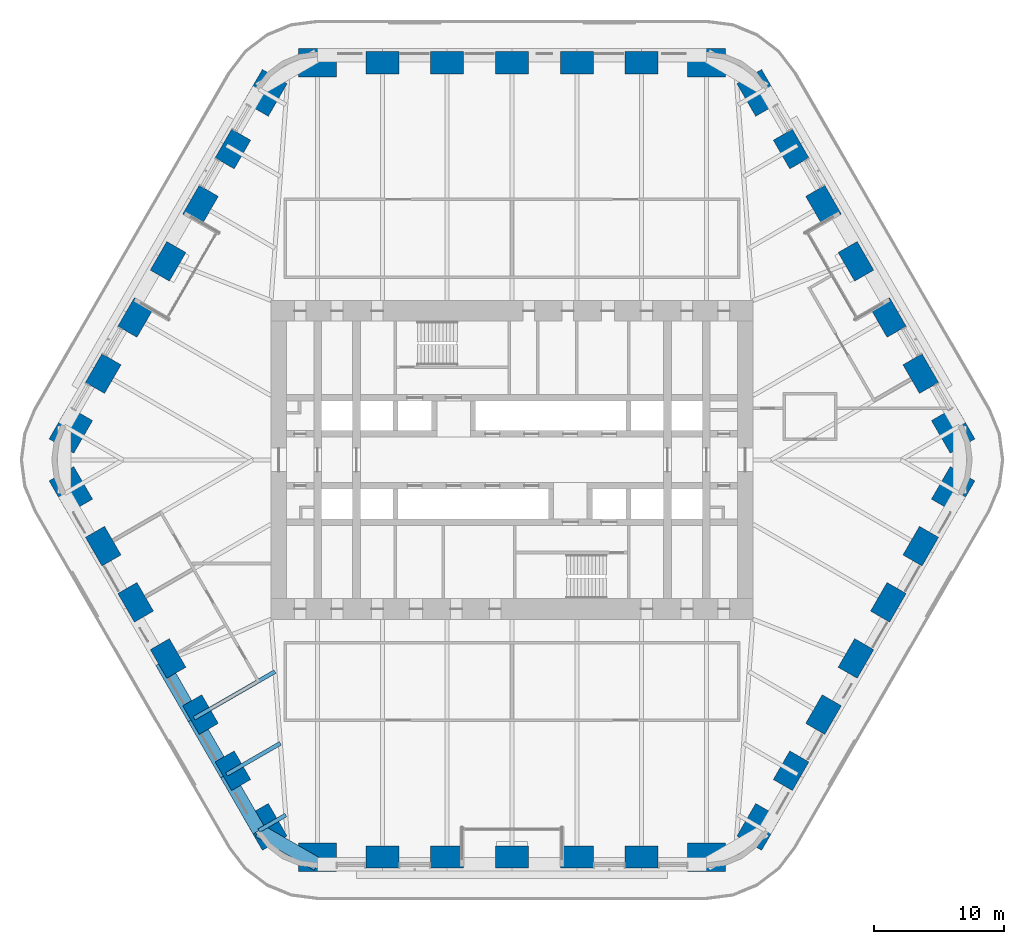
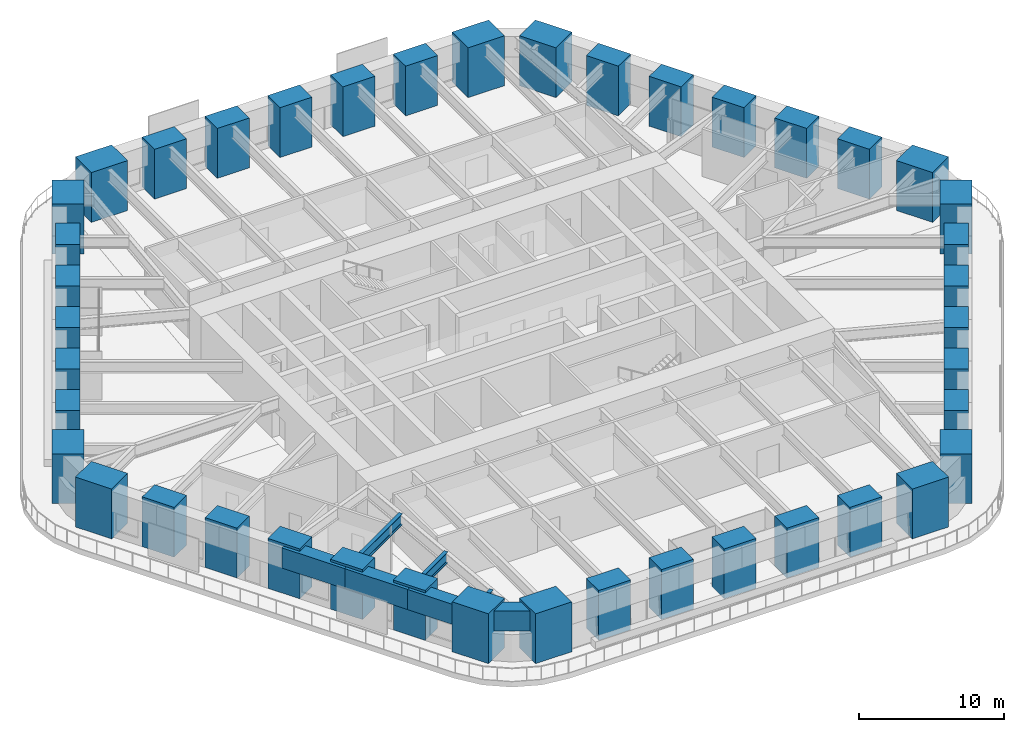
# One storey, part 1 of 24: 42 columns, 7 beams.
"""IFC4 building model written with IfcOpenShell, lengths in metres."""

from ifc_helpers import new_model, si_unit, direction, frame, origin, origin_2d, place, context, subcontext, project, spatial, rectangle, i_section, extrude, material, material_profile, profile_set, type_object, element, save


model = new_model("IFC4")

# Units and contexts
model_context = context("Model", 3, precision=1e-05, world=origin(), true_north=direction((0.0, 1.0)))
body_context = subcontext(model_context, "Body", "Model", "MODEL_VIEW")
ifc_project = project(units=[si_unit("LENGTHUNIT", "METRE"), si_unit("AREAUNIT", "SQUARE_METRE"), si_unit("VOLUMEUNIT", "CUBIC_METRE"), si_unit("PLANEANGLEUNIT", "RADIAN"), si_unit("MASSUNIT", "GRAM", prefix="KILO")], contexts=[model_context])

# Site, building, storey
site_placement = place(None, origin())
site = spatial("IfcSite", under=ifc_project, at=site_placement, CompositionType="ELEMENT")
building_placement = place(site_placement, origin())
building = spatial("IfcBuilding", under=site, at=building_placement, Name="Tarfa Lantern Tower", CompositionType="ELEMENT")
storey_placement = place(building_placement, frame((0.0, 0.0, 119.5)))
storey = spatial("IfcBuildingStorey", under=building, at=storey_placement, Name="L26", CompositionType="ELEMENT", Elevation=119.5)

# Columns
ifc_material_1 = material(Name="Concrete C80/95", Category="concrete")
ifc_material_profile_1 = material_profile(ifc_material_1, rectangle(XDim=2.550048828125, YDim=1.699951171875, at=origin_2d()), Name="RC 2550x1700")
ifc_profile_set_1 = profile_set([ifc_material_profile_1], Name="Concrete C80/95")
column_type_1 = type_object("IfcColumnType", Name="TU1 RC 2550x1700", PredefinedType="COLUMN", material=ifc_profile_set_1)
for number, where, z_axis, x_axis, name in (
    (1, (31.54736328125, 6.658447265625, 0.0), (0.0, 0.0, 1.0), (-0.5, 0.866025403784, 0.0), "Tube column NE1"),
    (2, (29.04541015625, 10.99169921875, 0.0), (0.0, 0.0, 1.0), (-0.5, 0.866025403784, 0.0), "Tube column NE2"),
    (3, (26.543701171875, 15.324951171875, 0.0), (0.0, 0.0, 1.0), (-0.5, 0.866025403784, 0.0), "Tube column NE3"),
    (4, (24.041748046875, 19.658447265625, 0.0), (0.0, 0.0, 1.0), (-0.5, 0.866025403784, 0.0), "Tube column NE4"),
    (5, (21.5400390625, 23.99169921875, 0.0), (0.0, 0.0, 1.0), (-0.5, 0.866025403784, 0.0), "Tube column NE5"),
    (6, (10.00732421875, 30.64990234375, 0.0), (0.0, 0.0, 1.0), (-1.0, 0.0, 0.0), "Tube column N1"),
    (7, (5.003662109375, 30.64990234375, 0.0), (0.0, 0.0, 1.0), (-1.0, 0.0, 0.0), "Tube column N2"),
    (8, (0.0, 30.64990234375, 0.0), (0.0, 0.0, 1.0), (-1.0, 0.0, 0.0), "Tube column N3"),
    (9, (-5.003662109375, 30.64990234375, 0.0), (0.0, 0.0, 1.0), (-1.0, 0.0, 0.0), "Tube column N4"),
    (10, (-10.00732421875, 30.64990234375, 0.0), (0.0, 0.0, 1.0), (-1.0, 0.0, 0.0), "Tube column N5"),
    (11, (-21.5400390625, 23.99169921875, 0.0), (0.0, 0.0, 1.0), (-0.5, -0.866025403784, 0.0), "Tube column NW1"),
    (12, (-24.041748046875, 19.658447265625, 0.0), (0.0, 0.0, 1.0), (-0.5, -0.866025403784, 0.0), "Tube column NW2"),
    (13, (-26.543701171875, 15.324951171875, 0.0), (0.0, 0.0, 1.0), (-0.5, -0.866025403784, 0.0), "Tube column NW3"),
    (14, (-29.04541015625, 10.99169921875, 0.0), (0.0, 0.0, 1.0), (-0.5, -0.866025403784, 0.0), "Tube column NW4"),
    (15, (-31.54736328125, 6.658447265625, 0.0), (0.0, 0.0, 1.0), (-0.5, -0.866025403784, 0.0), "Tube column NW5"),
    (16, (-31.54736328125, -6.658447265625, 0.0), (0.0, 0.0, 1.0), (0.5, -0.866025403784, 0.0), "Tube column SW1"),
    (17, (-29.04541015625, -10.99169921875, 0.0), (0.0, 0.0, 1.0), (0.5, -0.866025403784, 0.0), "Tube column SW2"),
    (18, (-26.543701171875, -15.324951171875, 0.0), (0.0, 0.0, 1.0), (0.5, -0.866025403784, 0.0), "Tube column SW3"),
    (19, (-24.041748046875, -19.658447265625, 0.0), (0.0, 0.0, 1.0), (0.5, -0.866025403784, 0.0), "Tube column SW4"),
    (20, (-21.5400390625, -23.99169921875, 0.0), (0.0, 0.0, 1.0), (0.5, -0.866025403784, 0.0), "Tube column SW5"),
    (21, (-10.00732421875, -30.64990234375, 0.0), (0.0, 0.0, 1.0), (1.0, 0.0, 0.0), "Tube column S1"),
    (22, (-5.003662109375, -30.64990234375, 0.0), (0.0, 0.0, 1.0), (1.0, 0.0, 0.0), "Tube column S2"),
    (23, (0.0, -30.64990234375, 0.0), (0.0, 0.0, 1.0), (1.0, 0.0, 0.0), "Tube column S3"),
    (24, (5.003662109375, -30.64990234375, 0.0), (0.0, 0.0, 1.0), (1.0, 0.0, 0.0), "Tube column S4"),
    (25, (10.00732421875, -30.64990234375, 0.0), (0.0, 0.0, 1.0), (1.0, 0.0, 0.0), "Tube column S5"),
    (26, (21.5400390625, -23.99169921875, 0.0), (0.0, 0.0, 1.0), (0.5, 0.866025403784, 0.0), "Tube column SE1"),
    (27, (24.041748046875, -19.658447265625, 0.0), (0.0, 0.0, 1.0), (0.5, 0.866025403784, 0.0), "Tube column SE2"),
    (28, (26.543701171875, -15.324951171875, 0.0), (0.0, 0.0, 1.0), (0.5, 0.866025403784, 0.0), "Tube column SE3"),
    (29, (29.04541015625, -10.99169921875, 0.0), (0.0, 0.0, 1.0), (0.5, 0.866025403784, 0.0), "Tube column SE4"),
    (30, (31.54736328125, -6.658447265625, 0.0), (0.0, 0.0, 1.0), (0.5, 0.866025403784, 0.0), "Tube column SE5"),
):
    element("IfcColumn", number, at=place(storey_placement, frame(where, z_axis=z_axis, x_axis=x_axis)), inside=storey, type_object=column_type_1, Name=name, PredefinedType="COLUMN", context=body_context, shape_type="SweptSolid", body=[
        extrude(rectangle(XDim=2.550048828125, YDim=1.699951171875, at=origin_2d()), origin(), (0.0, 0.0, 1.0), 4.199951171875),
    ])
ifc_material_profile_2 = material_profile(ifc_material_1, rectangle(XDim=2.89990234375, YDim=2.199951171875, at=origin_2d()), Name="RC 2900x2200")
ifc_profile_set_2 = profile_set([ifc_material_profile_2], Name="Concrete C80/95")
column_type_2 = type_object("IfcColumnType", Name="TU1C RC 2900x2200", PredefinedType="COLUMN", material=ifc_profile_set_2)
for number, where, z_axis, x_axis, name in (
    (31, (34.04931640625, 2.324951171875, 0.0), (0.0, 0.0, 1.0), (-0.5, 0.866025403784, 0.0), "Tube column NE0"),
    (32, (19.0380859375, 28.324951171875, 0.0), (0.0, 0.0, 1.0), (-0.5, 0.866025403784, 0.0), "Tube column NE6"),
    (33, (15.010986328125, 30.64990234375, 0.0), (0.0, 0.0, 1.0), (-1.0, 0.0, 0.0), "Tube column N0"),
    (34, (-15.010986328125, 30.64990234375, 0.0), (0.0, 0.0, 1.0), (-1.0, 0.0, 0.0), "Tube column N6"),
    (35, (-19.0380859375, 28.324951171875, 0.0), (0.0, 0.0, 1.0), (-0.5, -0.866025403784, 0.0), "Tube column NW0"),
    (36, (-34.04931640625, 2.324951171875, 0.0), (0.0, 0.0, 1.0), (-0.5, -0.866025403784, 0.0), "Tube column NW6"),
    (37, (-34.04931640625, -2.324951171875, 0.0), (0.0, 0.0, 1.0), (0.5, -0.866025403784, 0.0), "Tube column SW0"),
    (38, (-19.0380859375, -28.324951171875, 0.0), (0.0, 0.0, 1.0), (0.5, -0.866025403784, 0.0), "Tube column SW6"),
    (39, (-15.010986328125, -30.64990234375, 0.0), (0.0, 0.0, 1.0), (1.0, 0.0, 0.0), "Tube column S0"),
    (40, (15.010986328125, -30.64990234375, 0.0), (0.0, 0.0, 1.0), (1.0, 0.0, 0.0), "Tube column S6"),
    (41, (19.0380859375, -28.324951171875, 0.0), (0.0, 0.0, 1.0), (0.5, 0.866025403784, 0.0), "Tube column SE0"),
    (42, (34.04931640625, -2.324951171875, 0.0), (0.0, 0.0, 1.0), (0.5, 0.866025403784, 0.0), "Tube column SE6"),
):
    element("IfcColumn", number, at=place(storey_placement, frame(where, z_axis=z_axis, x_axis=x_axis)), inside=storey, type_object=column_type_2, Name=name, PredefinedType="COLUMN", context=body_context, shape_type="SweptSolid", body=[
        extrude(rectangle(XDim=2.89990234375, YDim=2.199951171875, at=origin_2d()), origin(), (0.0, 0.0, 1.0), 4.199951171875),
    ])

# Beams
ifc_material_profile_3 = material_profile(ifc_material_1, rectangle(XDim=1.050048828125, YDim=1.699951171875, at=origin_2d()), Name="RC 1050x1700")
ifc_profile_set_3 = profile_set([ifc_material_profile_3], Name="Concrete C80/95")
beam_type_1 = type_object("IfcBeamType", Name="RB2 RC 1050x1700", PredefinedType="BEAM", material=ifc_profile_set_3)
for number, where, z_axis, x_axis, name in (
    (43, (-27.037353515625, -15.610107421875, 3.14990234375), (0.500022324899, -0.866012514114, 0.0), (0.866012514114, 0.500022324899, 0.0), "Edge beam SW3"),
    (44, (-24.535400390625, -19.943359375, 3.14990234375), (0.49998573051, -0.866033642122, 0.0), (0.866033642122, 0.49998573051, 0.0), "Edge beam SW4"),
):
    element("IfcBeam", number, at=place(storey_placement, frame(where, z_axis=z_axis, x_axis=x_axis)), inside=storey, type_object=beam_type_1, Name=name, PredefinedType="BEAM", context=body_context, shape_type="SweptSolid", body=[
        extrude(rectangle(XDim=1.050048828125, YDim=1.699951171875, at=origin_2d()), origin(), (0.0, 0.0, 1.0), 5.003662109375),
    ])
beam_1_placement = place(storey_placement, frame((-22.03369140625, -24.276611328125, 3.14990234375), z_axis=(0.500001197378, -0.866024712477, 0.0), x_axis=(0.866024712477, 0.500001197378, 0.0)))
element("IfcBeam", 45, at=beam_1_placement, inside=storey, type_object=beam_type_1, Name="Edge beam SW5", PredefinedType="BEAM", context=body_context, shape_type="SweptSolid", body=[
    extrude(rectangle(XDim=1.050048828125, YDim=1.699951171875, at=origin_2d()), origin(), (0.0, 0.0, 1.0), 5.00390625),
])
beam_2_placement = place(storey_placement, frame((-19.53173828125, -28.610107421875, 3.14990234375), z_axis=(0.86604150238, -0.499972115377, 0.0), x_axis=(0.499972115377, 0.86604150238, 0.0)))
element("IfcBeam", 46, at=beam_2_placement, inside=storey, type_object=beam_type_1, Name="Edge beam SW6", PredefinedType="BEAM", context=body_context, shape_type="SweptSolid", body=[
    extrude(rectangle(XDim=1.050048828125, YDim=1.699951171875, at=origin_2d()), origin(), (0.0, 0.0, 1.0), 5.219970703125),
])
ifc_material_2 = material(Name="Steel S460M", Category="steel")
ifc_material_profile_4 = material_profile(ifc_material_2, i_section(OverallWidth=0.305419921875, OverallDepth=0.91845703125, WebThickness=0.017333984375, FlangeThickness=0.02783203125, FilletRadius=0.01904296875, at=origin_2d()), Name="UB914x305x253")
ifc_profile_set_4 = profile_set([ifc_material_profile_4], Name="Steel S460M")
beam_type_2 = type_object("IfcBeamType", Name="UB914x305x253", PredefinedType="BEAM", material=ifc_profile_set_4)
beam_3_placement = place(storey_placement, frame((-24.535400390625, -19.943359375, 3.540771484375), z_axis=(0.86602647304, 0.499998147991, 0.0), x_axis=(-0.499998147991, 0.86602647304, 0.0)))
element("IfcBeam", 47, at=beam_3_placement, inside=storey, type_object=beam_type_2, Name="Floor beam SW4", PredefinedType="BEAM", context=body_context, shape_type="SweptSolid", body=[
    extrude(i_section(OverallWidth=0.305419921875, OverallDepth=0.91845703125, WebThickness=0.017333984375, FlangeThickness=0.02783203125, FilletRadius=0.01904296875, at=origin_2d()), origin(), (0.0, 0.0, 1.0), 7.20556640625),
])
beam_4_placement = place(storey_placement, frame((-22.03369140625, -24.276611328125, 3.540771484375), z_axis=(0.866030550462, 0.499991085587, 0.0), x_axis=(-0.499991085587, 0.866030550462, 0.0)))
element("IfcBeam", 48, at=beam_4_placement, inside=storey, type_object=beam_type_2, Name="Floor beam SW5", PredefinedType="BEAM", context=body_context, shape_type="SweptSolid", body=[
    extrude(i_section(OverallWidth=0.305419921875, OverallDepth=0.91845703125, WebThickness=0.017333984375, FlangeThickness=0.02783203125, FilletRadius=0.01904296875, at=origin_2d()), origin(), (0.0, 0.0, 1.0), 4.798828125),
])
beam_5_placement = place(storey_placement, frame((-19.53173828125, -28.610107421875, 3.540771484375), z_axis=(0.865998640954, 0.500046351717, 0.0), x_axis=(-0.500046351717, 0.865998640954, 0.0)))
element("IfcBeam", 49, at=beam_5_placement, inside=storey, type_object=beam_type_2, Name="Floor beam SW6", PredefinedType="BEAM", context=body_context, shape_type="SweptSolid", body=[
    extrude(i_section(OverallWidth=0.305419921875, OverallDepth=0.91845703125, WebThickness=0.017333984375, FlangeThickness=0.02783203125, FilletRadius=0.01904296875, at=origin_2d()), origin(), (0.0, 0.0, 1.0), 2.392333984375),
])

save(model, "model.ifc")
